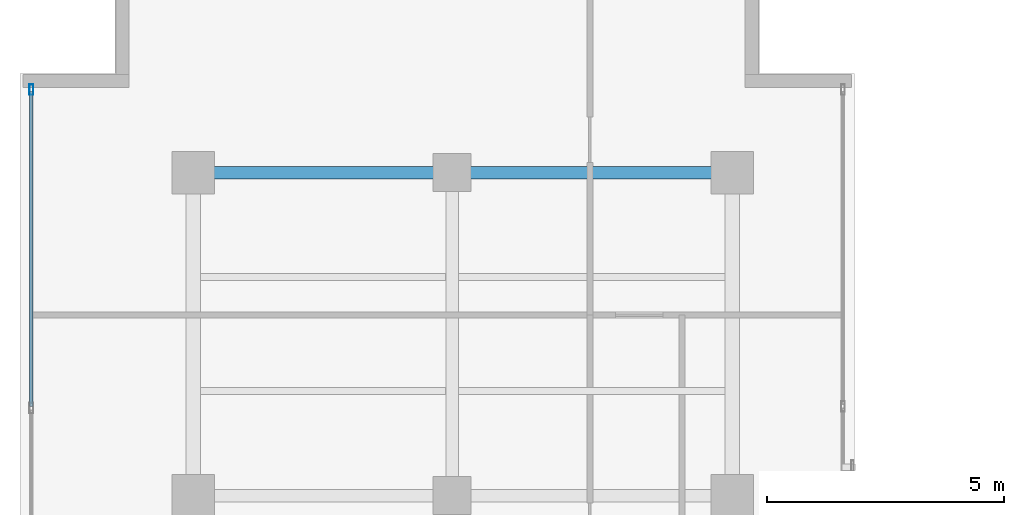
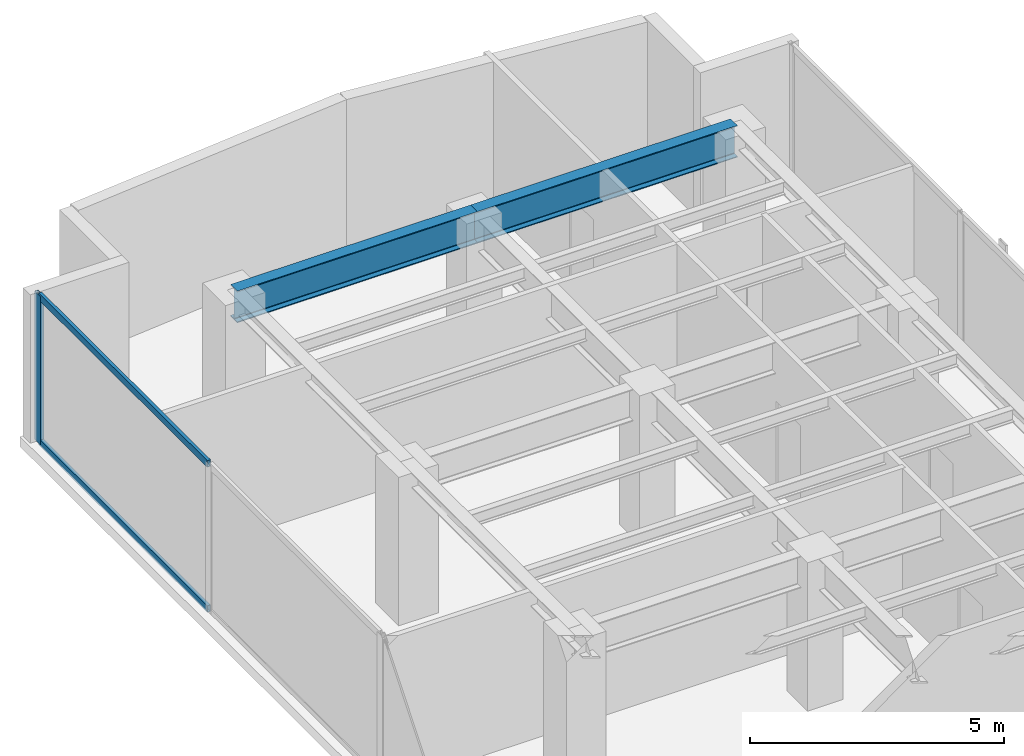
# One storey, part 13 of 22: 3 members, 2 beams, 1 element without a shape of its own.
"""IFC4 building model written with IfcOpenShell, lengths in metres."""

from ifc_helpers import new_model, si_unit, direction, frame, origin, origin_with_axes, origin_2d, place, context, subcontext, project, spatial, hollow_rectangle, i_section, extrude, source, transform, mapped, material, layer, layer_set, material_profile, profile_set, type_object, element, aggregate, save


model = new_model("IFC4")

# Units and contexts
model_context = context("Model", 3, precision=1e-05, world=origin(), true_north=direction((0.0, 1.0)))
body_context = subcontext(model_context, "Body", "Model", "MODEL_VIEW")
ifc_project = project(units=[si_unit("LENGTHUNIT", "METRE"), si_unit("AREAUNIT", "SQUARE_METRE"), si_unit("VOLUMEUNIT", "CUBIC_METRE"), si_unit("PLANEANGLEUNIT", "RADIAN"), si_unit("MASSUNIT", "GRAM", prefix="KILO")], contexts=[model_context])

# Site, building, storey
site_placement = place(None, origin())
site = spatial("IfcSite", under=ifc_project, at=site_placement, CompositionType="ELEMENT")
building_placement = place(site_placement, origin())
building = spatial("IfcBuilding", under=site, at=building_placement, Name="Kolvaren Waterfront Exchange", CompositionType="ELEMENT")
storey_placement = place(building_placement, frame((0.0, 0.0, 274.199951171875)))
storey = spatial("IfcBuildingStorey", under=building, at=storey_placement, Name="L70", CompositionType="ELEMENT", Elevation=274.199951171875)

# Beams
ifc_material_1 = material(Name="Steel S355", Category="steel")
ifc_material_profile_1 = material_profile(ifc_material_1, i_section(OverallWidth=0.26708984375, OverallDepth=0.761962890625, WebThickness=0.014404296875, FlangeThickness=0.021484375, FilletRadius=0.01708984375, at=origin_2d()), Name="IPE750x173")
ifc_profile_set_1 = profile_set([ifc_material_profile_1], Name="Steel S355")
beam_type = type_object("IfcBeamType", Name="STR-BM-IPE750", PredefinedType="BEAM", material=ifc_profile_set_1)
beam_1_placement = place(storey_placement, frame((7.449951171875, 44.60009765625, 3.178955078125), z_axis=(1.0, 0.0, 0.0), x_axis=(0.0, 1.0, 0.0)))
element("IfcBeam", 1, at=beam_1_placement, inside=storey, type_object=beam_type, Name="L70 north-arm girder 4A", PredefinedType="BEAM", context=body_context, shape_type="SweptSolid", body=[
    extrude(i_section(OverallWidth=0.26708984375, OverallDepth=0.761962890625, WebThickness=0.014404296875, FlangeThickness=0.021484375, FilletRadius=0.01708984375, at=origin_2d()), origin(), (0.0, 0.0, 1.0), 5.449951171875),
])
beam_2_placement = place(storey_placement, frame((12.89990234375, 44.60009765625, 3.178955078125), z_axis=(1.0, 0.0, 0.0), x_axis=(0.0, 1.0, 0.0)))
element("IfcBeam", 2, at=beam_2_placement, inside=storey, type_object=beam_type, Name="L70 north-arm girder 4B", PredefinedType="BEAM", context=body_context, shape_type="SweptSolid", body=[
    extrude(i_section(OverallWidth=0.26708984375, OverallDepth=0.761962890625, WebThickness=0.014404296875, FlangeThickness=0.021484375, FilletRadius=0.01708984375, at=origin_2d()), origin(), (0.0, 0.0, 1.0), 5.900146484375),
])

# Curtain wall, members
ifc_material_2 = material(Name="Anodised aluminium 6063-T6", Category="aluminium")
ifc_layer = layer(ifc_material_2, 0.219970703125, Name="Anodised aluminium 6063-T6")
ifc_layer_set = layer_set([ifc_layer], Name="Anodised aluminium 6063-T6")
curtain_wall_type = type_object("IfcCurtainWallType", Name="ARC-CW-SYS2", PredefinedType="USERDEFINED", material=ifc_layer_set)
curtain_wall_placement = place(storey_placement, origin())
curtain_wall = element("IfcCurtainWall", 3, at=curtain_wall_placement, inside=storey, type_object=curtain_wall_type, Name="L70 stick curtain wall CW2 (CW-L70-W)", ObjectType="STICK CURTAIN WALL", PredefinedType="USERDEFINED")
ifc_material_profile_2 = material_profile(ifc_material_2, hollow_rectangle(XDim=0.080078125, YDim=0.219970703125, WallThickness=0.0048828125, at=origin_2d()), Name="ALU-MUL-220x80x5")
ifc_profile_set_2 = profile_set([ifc_material_profile_2], Name="Anodised aluminium 6063-T6")
member_type_1 = type_object("IfcMemberType", Name="ARC-CWM-220", PredefinedType="MULLION", material=ifc_profile_set_2)
shared_shape_1 = source(origin_with_axes(), body_context, "Body", "SweptSolid", [
    extrude(hollow_rectangle(XDim=0.080078125, YDim=0.219970703125, WallThickness=0.0048828125, at=origin_2d()), origin(), (0.0, 0.0, 1.0), 3.56005859375),
])
member_1_placement = place(storey_placement, frame((4.0400390625, 46.349609375, 0.0), z_axis=(0.0, 0.0, 1.0), x_axis=(-1.0, 0.0, 0.0)))
member_1 = element("IfcMember", 4, at=member_1_placement, type_object=member_type_1, Name="CW2 mullion 7", PredefinedType="MULLION", context=body_context, shape_type="MappedRepresentation", body=[
    mapped(shared_shape_1, transform((0.0, 0.0, 0.0), x_axis=(1.0, 0.0, 0.0), y_axis=(0.0, 1.0, 0.0), z_axis=(0.0, 0.0, 1.0), scale=1.0)),
])
ifc_material_profile_3 = material_profile(ifc_material_2, hollow_rectangle(XDim=0.074951171875, YDim=0.159912109375, WallThickness=0.00439453125, at=origin_2d()), Name="ALU-TRN-160x75x4.5")
ifc_profile_set_3 = profile_set([ifc_material_profile_3], Name="Anodised aluminium 6063-T6")
member_type_2 = type_object("IfcMemberType", Name="ARC-CWT-160", PredefinedType="USERDEFINED", material=ifc_profile_set_3)
shared_shape_2 = source(origin_with_axes(), body_context, "Body", "SweptSolid", [
    extrude(hollow_rectangle(XDim=0.074951171875, YDim=0.159912109375, WallThickness=0.00439453125, at=origin_2d()), origin(), (0.0, 0.0, 1.0), 6.62841796875),
])
member_2_placement = place(storey_placement, frame((4.0400390625, 39.68115234375, 0.03759765625), z_axis=(0.0, 1.0, 0.0), x_axis=(-1.0, 0.0, 0.0)))
member_2 = element("IfcMember", 5, at=member_2_placement, type_object=member_type_2, Name="CW2 transom 6.1", ObjectType="TRANSOM", PredefinedType="USERDEFINED", context=body_context, shape_type="MappedRepresentation", body=[
    mapped(shared_shape_2, transform((0.0, 0.0, 0.0), x_axis=(1.0, 0.0, 0.0), y_axis=(0.0, 1.0, 0.0), z_axis=(0.0, 0.0, 1.0), scale=1.0)),
])
member_3_placement = place(storey_placement, frame((4.0400390625, 39.68115234375, 3.5224609375), z_axis=(0.0, 1.0, 0.0), x_axis=(-1.0, 0.0, 0.0)))
member_3 = element("IfcMember", 6, at=member_3_placement, type_object=member_type_2, Name="CW2 transom 6.2", ObjectType="TRANSOM", PredefinedType="USERDEFINED", context=body_context, shape_type="MappedRepresentation", body=[
    mapped(shared_shape_2, transform((0.0, 0.0, 0.0), x_axis=(1.0, 0.0, 0.0), y_axis=(0.0, 1.0, 0.0), z_axis=(0.0, 0.0, 1.0), scale=1.0)),
])
aggregate(curtain_wall, [member_1, member_2, member_3])

save(model, "model.ifc")
